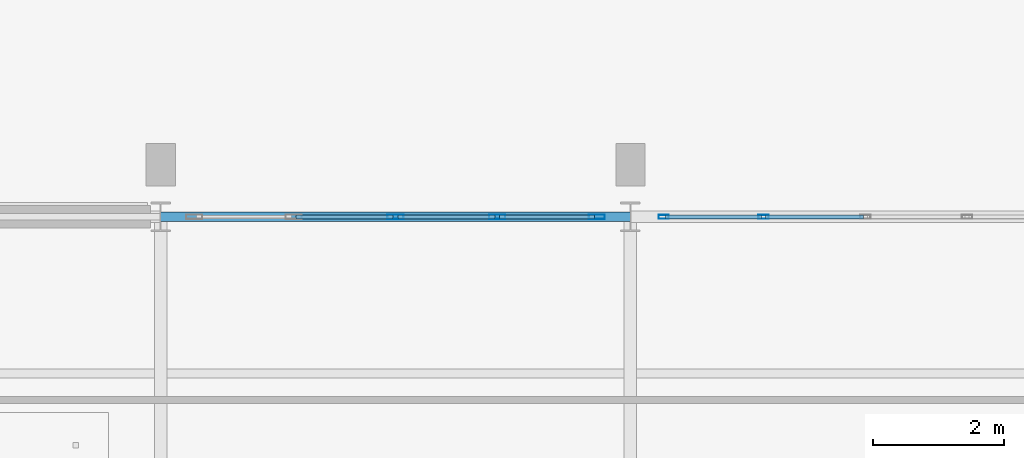
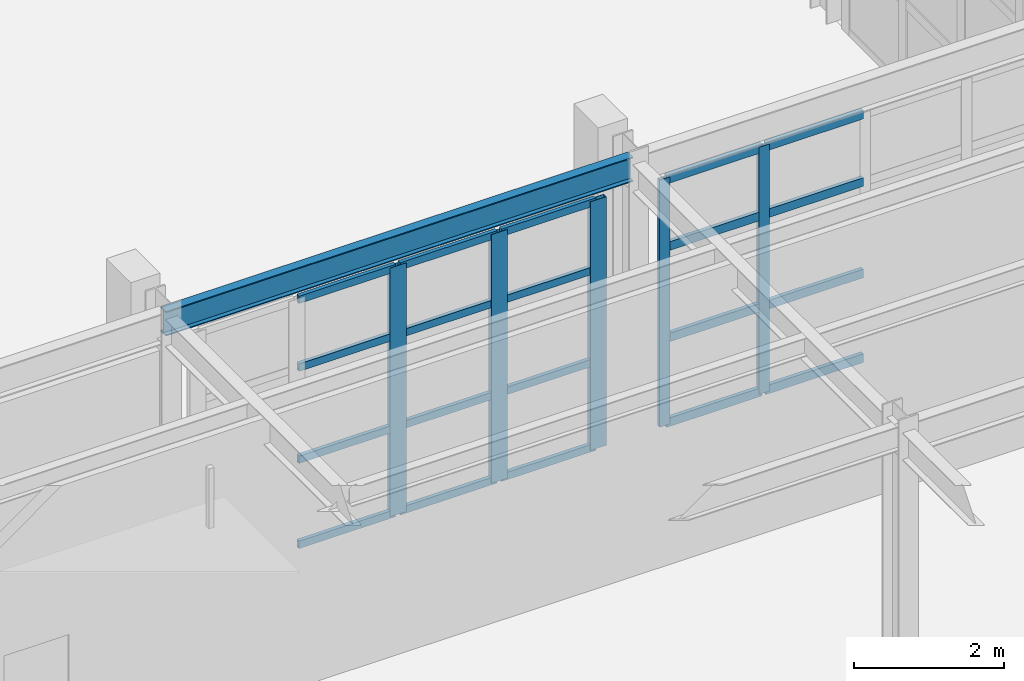
# One storey, part 26 of 83: 25 members, 1 beam, 2 elements without a shape of their own.
"""IFC4 building model written with IfcOpenShell, lengths in metres."""

from ifc_helpers import new_model, si_unit, direction, frame, origin, origin_2d, place, context, subcontext, project, spatial, hollow_rectangle, i_section, extrude, material, layer, layer_set, material_profile, profile_set, type_object, element, aggregate, save


model = new_model("IFC4")

# Units and contexts
model_context = context("Model", 3, precision=1e-05, world=origin(), true_north=direction((0.0, 1.0)))
body_context = subcontext(model_context, "Body", "Model", "MODEL_VIEW")
ifc_project = project(units=[si_unit("LENGTHUNIT", "METRE"), si_unit("AREAUNIT", "SQUARE_METRE"), si_unit("VOLUMEUNIT", "CUBIC_METRE"), si_unit("PLANEANGLEUNIT", "RADIAN"), si_unit("MASSUNIT", "GRAM", prefix="KILO")], contexts=[model_context])

# Site, building, storey
site_placement = place(None, origin())
site = spatial("IfcSite", under=ifc_project, at=site_placement, CompositionType="ELEMENT")
building_placement = place(site_placement, origin())
building = spatial("IfcBuilding", under=site, at=building_placement, Name="Solvadek Multi-Sports Hall", CompositionType="ELEMENT")
storey_placement = place(building_placement, origin())
storey = spatial("IfcBuildingStorey", under=building, at=storey_placement, Name="L00", CompositionType="ELEMENT", Elevation=0.0)

# Curtain wall, members
ifc_material_1 = material(Name="Anodised aluminium", Category="aluminium")
ifc_layer_1 = layer(ifc_material_1, 0.159912109375, Name="Anodised aluminium")
ifc_layer_set_1 = layer_set([ifc_layer_1], Name="Anodised aluminium")
curtain_wall_type_1 = type_object("IfcCurtainWallType", Name="ENV-CW-624X403", PredefinedType="USERDEFINED", material=ifc_layer_set_1)
curtain_wall_1_placement = place(storey_placement, origin())
curtain_wall_1 = element("IfcCurtainWall", 1, at=curtain_wall_1_placement, inside=storey, type_object=curtain_wall_type_1, Name="L00 Perimeter Bay Curtain Wall #174", ObjectType="CURTAIN WALL", PredefinedType="USERDEFINED")
ifc_material_profile_1 = material_profile(ifc_material_1, hollow_rectangle(XDim=0.06005859375, YDim=0.159912109375, WallThickness=0.00390625, at=origin_2d()), Name="ALU-M 160x60x4")
ifc_profile_set_1 = profile_set([ifc_material_profile_1], Name="Anodised aluminium")
member_type_1 = type_object("IfcMemberType", Name="ENV-CWM-01", PredefinedType="MULLION", material=ifc_profile_set_1)
member_1_placement = place(storey_placement, frame((50.909912109375, 20.39990234375, 0.0), z_axis=(0.0, 0.0, 1.0), x_axis=(0.0, 1.0, 0.0)))
member_1 = element("IfcMember", 2, at=member_1_placement, type_object=member_type_1, Name="CW-43 mullion 1", PredefinedType="MULLION", context=body_context, shape_type="SweptSolid", body=[
    extrude(hollow_rectangle(XDim=0.06005859375, YDim=0.159912109375, WallThickness=0.00390625, at=origin_2d()), origin(), (0.0, 0.0, 1.0), 4.02490234375),
])
member_2_placement = place(storey_placement, frame((52.43994140625, 20.39990234375, 0.0), z_axis=(0.0, 0.0, 1.0), x_axis=(0.0, 1.0, 0.0)))
member_2 = element("IfcMember", 3, at=member_2_placement, type_object=member_type_1, Name="CW-43 mullion 2", PredefinedType="MULLION", context=body_context, shape_type="SweptSolid", body=[
    extrude(hollow_rectangle(XDim=0.06005859375, YDim=0.159912109375, WallThickness=0.00390625, at=origin_2d()), origin(), (0.0, 0.0, 1.0), 4.02490234375),
])

ifc_layer_2 = layer(ifc_material_1, 0.159912109375, Name="Anodised aluminium")
ifc_layer_set_2 = layer_set([ifc_layer_2], Name="Anodised aluminium")
curtain_wall_type_2 = type_object("IfcCurtainWallType", Name="ENV-CW-624X405", PredefinedType="USERDEFINED", material=ifc_layer_set_2)
curtain_wall_2_placement = place(storey_placement, origin())
curtain_wall_2 = element("IfcCurtainWall", 4, at=curtain_wall_2_placement, inside=storey, type_object=curtain_wall_type_2, Name="L00 Perimeter Bay Curtain Wall #168", ObjectType="CURTAIN WALL", PredefinedType="USERDEFINED")
ifc_material_profile_2 = material_profile(ifc_material_1, hollow_rectangle(XDim=0.070068359375, YDim=0.25, WallThickness=0.0048828125, at=origin_2d()), Name="ALU-M 250x70x5")
ifc_profile_set_2 = profile_set([ifc_material_profile_2], Name="Anodised aluminium")
member_type_2 = type_object("IfcMemberType", Name="ENV-CWM-05", PredefinedType="MULLION", material=ifc_profile_set_2)
member_3_placement = place(storey_placement, frame((46.800048828125, 20.39990234375, 0.0), z_axis=(0.0, 0.0, 1.0), x_axis=(0.0, 1.0, 0.0)))
member_3 = element("IfcMember", 5, at=member_3_placement, type_object=member_type_2, Name="CW-52 mullion 3", PredefinedType="MULLION", context=body_context, shape_type="SweptSolid", body=[
    extrude(hollow_rectangle(XDim=0.070068359375, YDim=0.25, WallThickness=0.0048828125, at=origin_2d()), origin(), (0.0, 0.0, 1.0), 4.050048828125),
])
member_4_placement = place(storey_placement, frame((48.360107421875, 20.39990234375, 0.0), z_axis=(0.0, 0.0, 1.0), x_axis=(0.0, 1.0, 0.0)))
member_4 = element("IfcMember", 6, at=member_4_placement, type_object=member_type_2, Name="CW-52 mullion 4", PredefinedType="MULLION", context=body_context, shape_type="SweptSolid", body=[
    extrude(hollow_rectangle(XDim=0.070068359375, YDim=0.25, WallThickness=0.0048828125, at=origin_2d()), origin(), (0.0, 0.0, 1.0), 4.050048828125),
])
member_5_placement = place(storey_placement, frame((49.885009765625, 20.39990234375, 0.0), z_axis=(0.0, 0.0, 1.0), x_axis=(0.0, 1.0, 0.0)))
member_5 = element("IfcMember", 7, at=member_5_placement, type_object=member_type_2, Name="CW-52 mullion 5", PredefinedType="MULLION", context=body_context, shape_type="SweptSolid", body=[
    extrude(hollow_rectangle(XDim=0.070068359375, YDim=0.25, WallThickness=0.0048828125, at=origin_2d()), origin(), (0.0, 0.0, 1.0), 4.050048828125),
])
ifc_material_profile_3 = material_profile(ifc_material_1, hollow_rectangle(XDim=0.06005859375, YDim=0.1201171875, WallThickness=0.00390625, at=origin_2d()), Name="ALU-T 120x60x4")
ifc_profile_set_3 = profile_set([ifc_material_profile_3], Name="Anodised aluminium")
member_type_3 = type_object("IfcMemberType", Name="ENV-CWT-01", PredefinedType="USERDEFINED", material=ifc_profile_set_3)
member_6_placement = place(storey_placement, frame((45.27490234375, 20.39990234375, 0.030029296875), z_axis=(1.0, 0.0, 0.0), x_axis=(0.0, 1.0, 0.0)))
member_6 = element("IfcMember", 8, at=member_6_placement, type_object=member_type_3, Name="CW-52 transom 2.1", ObjectType="TRANSOM", PredefinedType="USERDEFINED", context=body_context, shape_type="SweptSolid", body=[
    extrude(hollow_rectangle(XDim=0.06005859375, YDim=0.1201171875, WallThickness=0.00390625, at=origin_2d()), origin(), (0.0, 0.0, 1.0), 1.489990234375),
])
member_7_placement = place(storey_placement, frame((45.27490234375, 20.39990234375, 1.4169921875), z_axis=(1.0, 0.0, 0.0), x_axis=(0.0, 1.0, 0.0)))
member_7 = element("IfcMember", 9, at=member_7_placement, type_object=member_type_3, Name="CW-52 transom 2.2", ObjectType="TRANSOM", PredefinedType="USERDEFINED", context=body_context, shape_type="SweptSolid", body=[
    extrude(hollow_rectangle(XDim=0.06005859375, YDim=0.1201171875, WallThickness=0.00390625, at=origin_2d()), origin(), (0.0, 0.0, 1.0), 1.489990234375),
])
member_8_placement = place(storey_placement, frame((45.27490234375, 20.39990234375, 2.916015625), z_axis=(1.0, 0.0, 0.0), x_axis=(0.0, 1.0, 0.0)))
member_8 = element("IfcMember", 10, at=member_8_placement, type_object=member_type_3, Name="CW-52 transom 2.3", ObjectType="TRANSOM", PredefinedType="USERDEFINED", context=body_context, shape_type="SweptSolid", body=[
    extrude(hollow_rectangle(XDim=0.06005859375, YDim=0.1201171875, WallThickness=0.00390625, at=origin_2d()), origin(), (0.0, 0.0, 1.0), 1.489990234375),
])
member_9_placement = place(storey_placement, frame((45.27490234375, 20.39990234375, 4.02001953125), z_axis=(1.0, 0.0, 0.0), x_axis=(0.0, 1.0, 0.0)))
member_9 = element("IfcMember", 11, at=member_9_placement, type_object=member_type_3, Name="CW-52 transom 2.4", ObjectType="TRANSOM", PredefinedType="USERDEFINED", context=body_context, shape_type="SweptSolid", body=[
    extrude(hollow_rectangle(XDim=0.06005859375, YDim=0.1201171875, WallThickness=0.00390625, at=origin_2d()), origin(), (0.0, 0.0, 1.0), 1.489990234375),
])
member_10_placement = place(storey_placement, frame((46.8349609375, 20.39990234375, 0.030029296875), z_axis=(1.0, 0.0, 0.0), x_axis=(0.0, 1.0, 0.0)))
member_10 = element("IfcMember", 12, at=member_10_placement, type_object=member_type_3, Name="CW-52 transom 3.1", ObjectType="TRANSOM", PredefinedType="USERDEFINED", context=body_context, shape_type="SweptSolid", body=[
    extrude(hollow_rectangle(XDim=0.06005859375, YDim=0.1201171875, WallThickness=0.00390625, at=origin_2d()), origin(), (0.0, 0.0, 1.0), 1.489990234375),
])
member_11_placement = place(storey_placement, frame((46.8349609375, 20.39990234375, 1.4169921875), z_axis=(1.0, 0.0, 0.0), x_axis=(0.0, 1.0, 0.0)))
member_11 = element("IfcMember", 13, at=member_11_placement, type_object=member_type_3, Name="CW-52 transom 3.2", ObjectType="TRANSOM", PredefinedType="USERDEFINED", context=body_context, shape_type="SweptSolid", body=[
    extrude(hollow_rectangle(XDim=0.06005859375, YDim=0.1201171875, WallThickness=0.00390625, at=origin_2d()), origin(), (0.0, 0.0, 1.0), 1.489990234375),
])
member_12_placement = place(storey_placement, frame((46.8349609375, 20.39990234375, 2.916015625), z_axis=(1.0, 0.0, 0.0), x_axis=(0.0, 1.0, 0.0)))
member_12 = element("IfcMember", 14, at=member_12_placement, type_object=member_type_3, Name="CW-52 transom 3.3", ObjectType="TRANSOM", PredefinedType="USERDEFINED", context=body_context, shape_type="SweptSolid", body=[
    extrude(hollow_rectangle(XDim=0.06005859375, YDim=0.1201171875, WallThickness=0.00390625, at=origin_2d()), origin(), (0.0, 0.0, 1.0), 1.489990234375),
])
member_13_placement = place(storey_placement, frame((46.8349609375, 20.39990234375, 4.02001953125), z_axis=(1.0, 0.0, 0.0), x_axis=(0.0, 1.0, 0.0)))
member_13 = element("IfcMember", 15, at=member_13_placement, type_object=member_type_3, Name="CW-52 transom 3.4", ObjectType="TRANSOM", PredefinedType="USERDEFINED", context=body_context, shape_type="SweptSolid", body=[
    extrude(hollow_rectangle(XDim=0.06005859375, YDim=0.1201171875, WallThickness=0.00390625, at=origin_2d()), origin(), (0.0, 0.0, 1.0), 1.489990234375),
])
member_14_placement = place(storey_placement, frame((48.39501953125, 20.39990234375, 0.030029296875), z_axis=(1.0, 0.0, 0.0), x_axis=(0.0, 1.0, 0.0)))
member_14 = element("IfcMember", 16, at=member_14_placement, type_object=member_type_3, Name="CW-52 transom 4.1", ObjectType="TRANSOM", PredefinedType="USERDEFINED", context=body_context, shape_type="SweptSolid", body=[
    extrude(hollow_rectangle(XDim=0.06005859375, YDim=0.1201171875, WallThickness=0.00390625, at=origin_2d()), origin(), (0.0, 0.0, 1.0), 1.455078125),
])
member_15_placement = place(storey_placement, frame((48.39501953125, 20.39990234375, 1.4169921875), z_axis=(1.0, 0.0, 0.0), x_axis=(0.0, 1.0, 0.0)))
member_15 = element("IfcMember", 17, at=member_15_placement, type_object=member_type_3, Name="CW-52 transom 4.2", ObjectType="TRANSOM", PredefinedType="USERDEFINED", context=body_context, shape_type="SweptSolid", body=[
    extrude(hollow_rectangle(XDim=0.06005859375, YDim=0.1201171875, WallThickness=0.00390625, at=origin_2d()), origin(), (0.0, 0.0, 1.0), 1.455078125),
])
member_16_placement = place(storey_placement, frame((48.39501953125, 20.39990234375, 2.916015625), z_axis=(1.0, 0.0, 0.0), x_axis=(0.0, 1.0, 0.0)))
member_16 = element("IfcMember", 18, at=member_16_placement, type_object=member_type_3, Name="CW-52 transom 4.3", ObjectType="TRANSOM", PredefinedType="USERDEFINED", context=body_context, shape_type="SweptSolid", body=[
    extrude(hollow_rectangle(XDim=0.06005859375, YDim=0.1201171875, WallThickness=0.00390625, at=origin_2d()), origin(), (0.0, 0.0, 1.0), 1.455078125),
])
member_17_placement = place(storey_placement, frame((48.39501953125, 20.39990234375, 4.02001953125), z_axis=(1.0, 0.0, 0.0), x_axis=(0.0, 1.0, 0.0)))
member_17 = element("IfcMember", 19, at=member_17_placement, type_object=member_type_3, Name="CW-52 transom 4.4", ObjectType="TRANSOM", PredefinedType="USERDEFINED", context=body_context, shape_type="SweptSolid", body=[
    extrude(hollow_rectangle(XDim=0.06005859375, YDim=0.1201171875, WallThickness=0.00390625, at=origin_2d()), origin(), (0.0, 0.0, 1.0), 1.455078125),
])
aggregate(curtain_wall_2, [member_3, member_4, member_5, member_6, member_7, member_8, member_9, member_10, member_11, member_12, member_13, member_14, member_15, member_16, member_17])

# Member
ifc_material_profile_4 = material_profile(ifc_material_1, hollow_rectangle(XDim=0.06005859375, YDim=0.139892578125, WallThickness=0.00390625, at=origin_2d()), Name="ALU-T 140x60x4")
ifc_profile_set_4 = profile_set([ifc_material_profile_4], Name="Anodised aluminium")
member_type_4 = type_object("IfcMemberType", Name="ENV-CWT-02", PredefinedType="USERDEFINED", material=ifc_profile_set_4)
member_18_placement = place(storey_placement, frame((50.93994140625, 20.39990234375, 0.030029296875), z_axis=(1.0, 0.0, 0.0), x_axis=(0.0, 1.0, 0.0)))
member_18 = element("IfcMember", 20, at=member_18_placement, type_object=member_type_4, Name="CW-43 transom 1.1", ObjectType="TRANSOM", PredefinedType="USERDEFINED", context=body_context, shape_type="SweptSolid", body=[
    extrude(hollow_rectangle(XDim=0.06005859375, YDim=0.139892578125, WallThickness=0.00390625, at=origin_2d()), origin(), (0.0, 0.0, 1.0), 1.469970703125),
])

member_19_placement = place(storey_placement, frame((50.93994140625, 20.39990234375, 1.408935546875), z_axis=(1.0, 0.0, 0.0), x_axis=(0.0, 1.0, 0.0)))
member_19 = element("IfcMember", 21, at=member_19_placement, type_object=member_type_4, Name="CW-43 transom 1.2", ObjectType="TRANSOM", PredefinedType="USERDEFINED", context=body_context, shape_type="SweptSolid", body=[
    extrude(hollow_rectangle(XDim=0.06005859375, YDim=0.139892578125, WallThickness=0.00390625, at=origin_2d()), origin(), (0.0, 0.0, 1.0), 1.469970703125),
])

member_20_placement = place(storey_placement, frame((50.93994140625, 20.39990234375, 2.89794921875), z_axis=(1.0, 0.0, 0.0), x_axis=(0.0, 1.0, 0.0)))
member_20 = element("IfcMember", 22, at=member_20_placement, type_object=member_type_4, Name="CW-43 transom 1.3", ObjectType="TRANSOM", PredefinedType="USERDEFINED", context=body_context, shape_type="SweptSolid", body=[
    extrude(hollow_rectangle(XDim=0.06005859375, YDim=0.139892578125, WallThickness=0.00390625, at=origin_2d()), origin(), (0.0, 0.0, 1.0), 1.469970703125),
])

member_21_placement = place(storey_placement, frame((50.93994140625, 20.39990234375, 3.9951171875), z_axis=(1.0, 0.0, 0.0), x_axis=(0.0, 1.0, 0.0)))
member_21 = element("IfcMember", 23, at=member_21_placement, type_object=member_type_4, Name="CW-43 transom 1.4", ObjectType="TRANSOM", PredefinedType="USERDEFINED", context=body_context, shape_type="SweptSolid", body=[
    extrude(hollow_rectangle(XDim=0.06005859375, YDim=0.139892578125, WallThickness=0.00390625, at=origin_2d()), origin(), (0.0, 0.0, 1.0), 1.469970703125),
])

member_22_placement = place(storey_placement, frame((52.469970703125, 20.39990234375, 0.030029296875), z_axis=(1.0, 0.0, 0.0), x_axis=(0.0, 1.0, 0.0)))
member_22 = element("IfcMember", 24, at=member_22_placement, type_object=member_type_4, Name="CW-43 transom 2.1", ObjectType="TRANSOM", PredefinedType="USERDEFINED", context=body_context, shape_type="SweptSolid", body=[
    extrude(hollow_rectangle(XDim=0.06005859375, YDim=0.139892578125, WallThickness=0.00390625, at=origin_2d()), origin(), (0.0, 0.0, 1.0), 1.5),
])

member_23_placement = place(storey_placement, frame((52.469970703125, 20.39990234375, 1.408935546875), z_axis=(1.0, 0.0, 0.0), x_axis=(0.0, 1.0, 0.0)))
member_23 = element("IfcMember", 25, at=member_23_placement, type_object=member_type_4, Name="CW-43 transom 2.2", ObjectType="TRANSOM", PredefinedType="USERDEFINED", context=body_context, shape_type="SweptSolid", body=[
    extrude(hollow_rectangle(XDim=0.06005859375, YDim=0.139892578125, WallThickness=0.00390625, at=origin_2d()), origin(), (0.0, 0.0, 1.0), 1.5),
])

member_24_placement = place(storey_placement, frame((52.469970703125, 20.39990234375, 2.89794921875), z_axis=(1.0, 0.0, 0.0), x_axis=(0.0, 1.0, 0.0)))
member_24 = element("IfcMember", 26, at=member_24_placement, type_object=member_type_4, Name="CW-43 transom 2.3", ObjectType="TRANSOM", PredefinedType="USERDEFINED", context=body_context, shape_type="SweptSolid", body=[
    extrude(hollow_rectangle(XDim=0.06005859375, YDim=0.139892578125, WallThickness=0.00390625, at=origin_2d()), origin(), (0.0, 0.0, 1.0), 1.5),
])

member_25_placement = place(storey_placement, frame((52.469970703125, 20.39990234375, 3.9951171875), z_axis=(1.0, 0.0, 0.0), x_axis=(0.0, 1.0, 0.0)))
member_25 = element("IfcMember", 27, at=member_25_placement, type_object=member_type_4, Name="CW-43 transom 2.4", ObjectType="TRANSOM", PredefinedType="USERDEFINED", context=body_context, shape_type="SweptSolid", body=[
    extrude(hollow_rectangle(XDim=0.06005859375, YDim=0.139892578125, WallThickness=0.00390625, at=origin_2d()), origin(), (0.0, 0.0, 1.0), 1.5),
])

aggregate(curtain_wall_1, [member_1, member_2, member_18, member_19, member_20, member_21, member_22, member_23, member_24, member_25])

# Beam
ifc_material_2 = material(Name="Steel E350 (350 MPa)", Category="steel")
ifc_material_profile_5 = material_profile(ifc_material_2, i_section(OverallWidth=0.139892578125, OverallDepth=0.39990234375, WebThickness=0.0087890625, FlangeThickness=0.01611328125, at=origin_2d()), Name="ISMB 400")
ifc_profile_set_5 = profile_set([ifc_material_profile_5], Name="Steel E350 (350 MPa)")
beam_type = type_object("IfcBeamType", Name="STR-BM-ISMB400", PredefinedType="BEAM", material=ifc_profile_set_5)
beam_placement = place(storey_placement, frame((43.199951171875, 20.39990234375, 4.3798828125), z_axis=(1.0, 0.0, 0.0), x_axis=(0.0, 1.0, 0.0)))
element("IfcBeam", 28, at=beam_placement, inside=storey, type_object=beam_type, Name="L00 Girder B-10 #562", PredefinedType="BEAM", context=body_context, shape_type="SweptSolid", body=[
    extrude(i_section(OverallWidth=0.139892578125, OverallDepth=0.39990234375, WebThickness=0.0087890625, FlangeThickness=0.01611328125, at=origin_2d()), origin(), (0.0, 0.0, 1.0), 7.199951171875),
])

save(model, "model.ifc")
